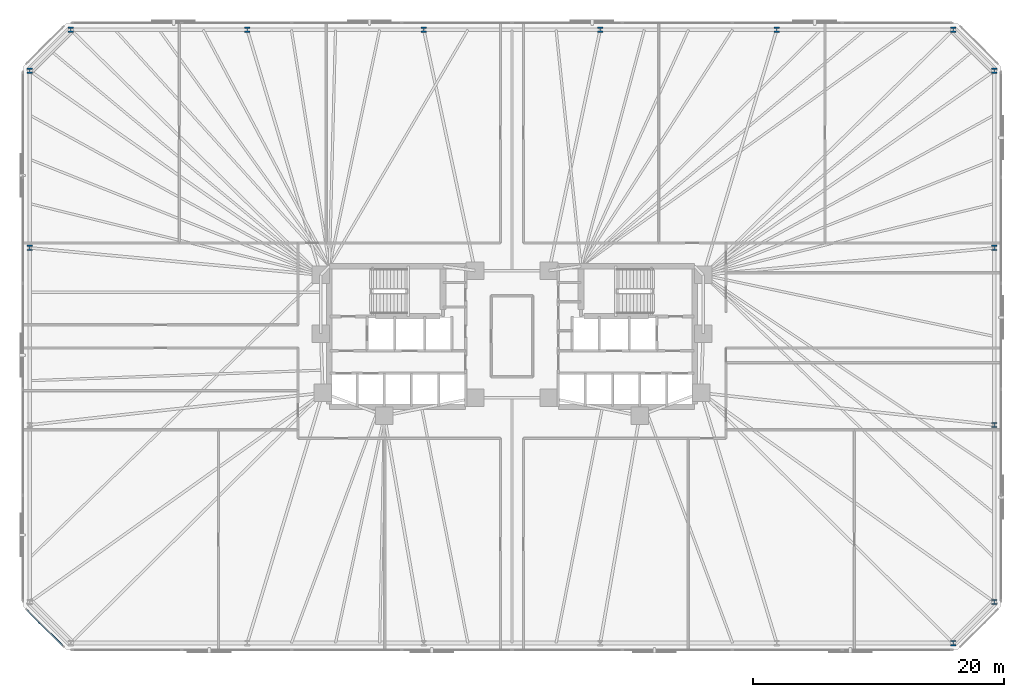
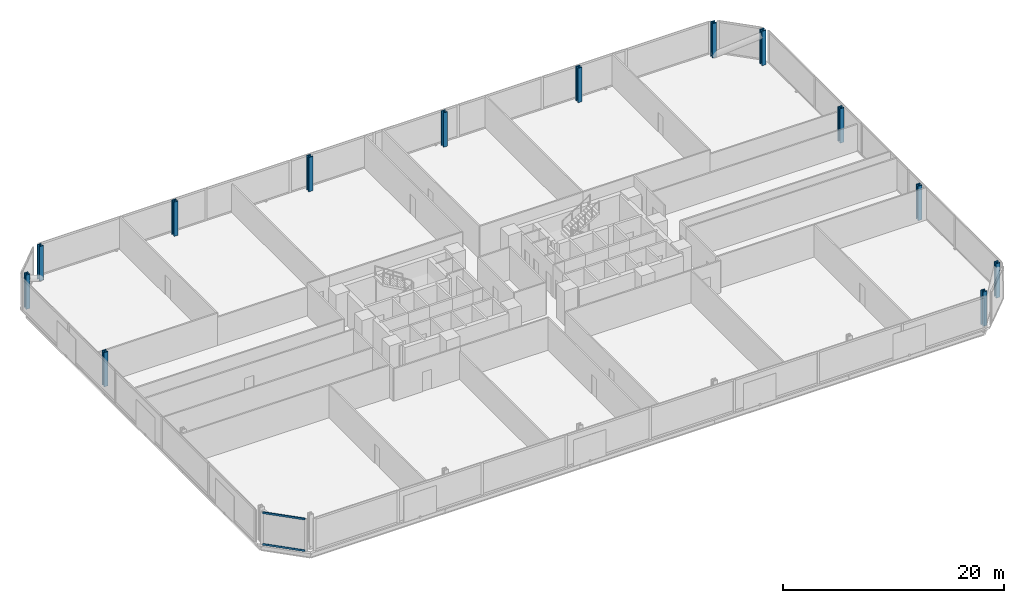
# One storey, part 5 of 17: 13 columns, 2 members, 1 element without a shape of its own.
"""IFC4 building model written with IfcOpenShell, lengths in metres."""

from ifc_helpers import new_model, si_unit, direction, frame, origin, origin_2d, place, context, subcontext, project, spatial, rectangle, i_section, extrude, material, material_profile, profile_set, type_object, element, aggregate, save


model = new_model("IFC4")

# Units and contexts
model_context = context("Model", 3, precision=1e-05, world=origin(), true_north=direction((0.0, 1.0)))
body_context = subcontext(model_context, "Body", "Model", "MODEL_VIEW")
ifc_project = project(units=[si_unit("LENGTHUNIT", "METRE"), si_unit("AREAUNIT", "SQUARE_METRE"), si_unit("VOLUMEUNIT", "CUBIC_METRE"), si_unit("PLANEANGLEUNIT", "RADIAN"), si_unit("MASSUNIT", "GRAM", prefix="KILO")], contexts=[model_context])

# Site, building, storey
site_placement = place(None, origin())
site = spatial("IfcSite", under=ifc_project, at=site_placement, CompositionType="ELEMENT")
building_placement = place(site_placement, origin())
building = spatial("IfcBuilding", under=site, at=building_placement, Name="Menara Jurai Vektor", CompositionType="ELEMENT")
storey_placement = place(building_placement, frame((0.0, 0.0, 18.0)))
storey = spatial("IfcBuildingStorey", under=building, at=storey_placement, Name="L03", CompositionType="ELEMENT", Elevation=18.0)

# Columns
ifc_material_1 = material(Name="Steel S460", Category="steel")
ifc_material_profile_1 = material_profile(ifc_material_1, i_section(OverallWidth=0.419921875, OverallDepth=0.430908203125, WebThickness=0.06494140625, FlangeThickness=0.10595703125, FilletRadius=0.014892578125, at=origin_2d()), Name="HD 400x900")
ifc_profile_set_1 = profile_set([ifc_material_profile_1], Name="Steel S460")
column_type = type_object("IfcColumnType", Name="STR-EXO-BLK1", PredefinedType="COLUMN", material=ifc_profile_set_1)
for number, where, z_axis, x_axis, name in (
    (1, (35.177734375, -24.449951171875, 0.0), (0.0, 0.0, 1.0), (1.0, 0.0, 0.0), "Exoskeleton Column BLK1-S6 L03"),
    (2, (38.449951171875, -21.177734375, 0.0), (0.0, 0.0, 1.0), (1.0, 0.0, 0.0), "Exoskeleton Column BLK1-E1 L03"),
    (3, (38.449951171875, -7.059326171875, 0.0), (0.0, 0.0, 1.0), (1.0, 0.0, 0.0), "Exoskeleton Column BLK1-E2 L03"),
    (4, (38.449951171875, 7.059326171875, 0.0), (0.0, 0.0, 1.0), (1.0, 0.0, 0.0), "Exoskeleton Column BLK1-E3 L03"),
    (5, (38.449951171875, 21.177734375, 0.0), (0.0, 0.0, 1.0), (1.0, 0.0, 0.0), "Exoskeleton Column BLK1-E4 L03"),
    (6, (35.177734375, 24.449951171875, 0.0), (0.0, 0.0, 1.0), (1.0, 0.0, 0.0), "Exoskeleton Column BLK1-N1 L03"),
    (7, (21.106689453125, 24.449951171875, 0.0), (0.0, 0.0, 1.0), (1.0, 0.0, 0.0), "Exoskeleton Column BLK1-N2 L03"),
    (8, (7.03564453125, 24.449951171875, 0.0), (0.0, 0.0, 1.0), (1.0, 0.0, 0.0), "Exoskeleton Column BLK1-N3 L03"),
    (9, (-7.03564453125, 24.449951171875, 0.0), (0.0, 0.0, 1.0), (1.0, 0.0, 0.0), "Exoskeleton Column BLK1-N4 L03"),
    (10, (-21.106689453125, 24.449951171875, 0.0), (0.0, 0.0, 1.0), (1.0, 0.0, 0.0), "Exoskeleton Column BLK1-N5 L03"),
    (11, (-35.177734375, 24.449951171875, 0.0), (0.0, 0.0, 1.0), (1.0, 0.0, 0.0), "Exoskeleton Column BLK1-N6 L03"),
    (12, (-38.449951171875, 21.177734375, 0.0), (0.0, 0.0, 1.0), (1.0, 0.0, 0.0), "Exoskeleton Column BLK1-W1 L03"),
    (13, (-38.449951171875, 7.059326171875, 0.0), (0.0, 0.0, 1.0), (1.0, 0.0, 0.0), "Exoskeleton Column BLK1-W2 L03"),
):
    element("IfcColumn", number, at=place(storey_placement, frame(where, z_axis=z_axis, x_axis=x_axis)), inside=storey, type_object=column_type, Name=name, PredefinedType="COLUMN", context=body_context, shape_type="SweptSolid", body=[
        extrude(i_section(OverallWidth=0.419921875, OverallDepth=0.430908203125, WebThickness=0.06494140625, FlangeThickness=0.10595703125, FilletRadius=0.014892578125, at=origin_2d()), origin(), (0.0, 0.0, 1.0), 3.800048828125),
    ])

# Curtain wall, members
ifc_material_2 = material(Name="Anodised Pale Aluminium & Low-E Double Glazing", Category="aluminium")
curtain_wall_type = type_object("IfcCurtainWallType", Name="CW-BLK1", PredefinedType="NOTDEFINED", material=ifc_material_2)
curtain_wall_placement = place(storey_placement, origin())
curtain_wall = element("IfcCurtainWall", 14, at=curtain_wall_placement, inside=storey, type_object=curtain_wall_type, Name="Unitised Curtain Wall L03 F08", PredefinedType="NOTDEFINED")
ifc_material_3 = material(Name="Anodised Pale Aluminium Transom", Category="aluminium")
ifc_material_profile_2 = material_profile(ifc_material_3, rectangle(XDim=0.094970703125, YDim=0.199951171875, at=origin_2d()), Name="ALU TRN 95x200")
ifc_profile_set_2 = profile_set([ifc_material_profile_2], Name="Anodised Pale Aluminium Transom")
member_type = type_object("IfcMemberType", Name="CW-BLK1-TRN", PredefinedType="USERDEFINED", material=ifc_profile_set_2)
member_1_placement = place(storey_placement, frame((-38.6640625, -21.8359375, 0.047607421875), z_axis=(0.707106781187, -0.707106781187, 0.0), x_axis=(0.707106781187, 0.707106781187, 0.0)))
member_1 = element("IfcMember", 15, at=member_1_placement, type_object=member_type, Name="CW-01 transom 1.1", ObjectType="TRANSOM", PredefinedType="USERDEFINED", context=body_context, shape_type="SweptSolid", body=[
    extrude(rectangle(XDim=0.094970703125, YDim=0.199951171875, at=origin_2d()), origin(), (0.0, 0.0, 1.0), 3.99951171875),
])
member_2_placement = place(storey_placement, frame((-38.6640625, -21.8359375, 3.527587890625), z_axis=(0.707106781187, -0.707106781187, 0.0), x_axis=(0.707106781187, 0.707106781187, 0.0)))
member_2 = element("IfcMember", 16, at=member_2_placement, type_object=member_type, Name="CW-01 transom 1.2", ObjectType="TRANSOM", PredefinedType="USERDEFINED", context=body_context, shape_type="SweptSolid", body=[
    extrude(rectangle(XDim=0.094970703125, YDim=0.199951171875, at=origin_2d()), origin(), (0.0, 0.0, 1.0), 3.99951171875),
])
aggregate(curtain_wall, [member_1, member_2])

save(model, "model.ifc")
